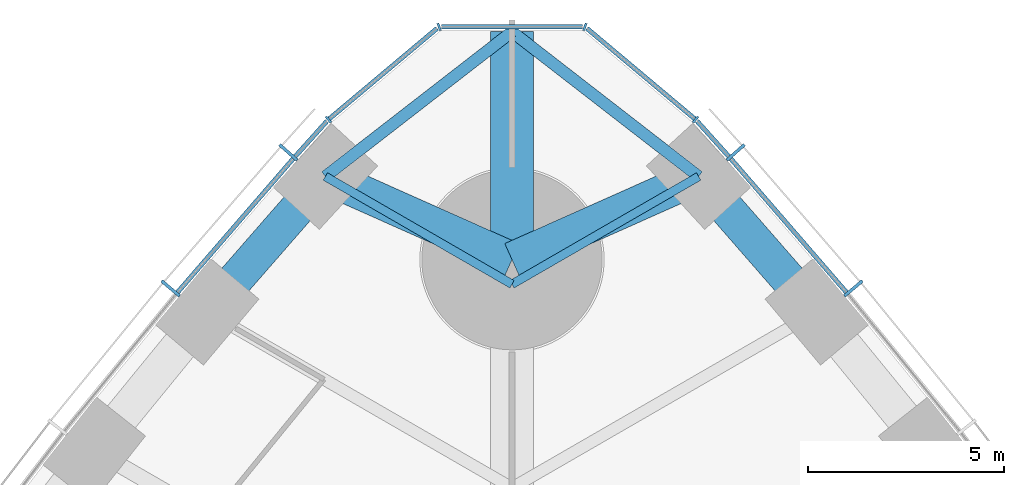
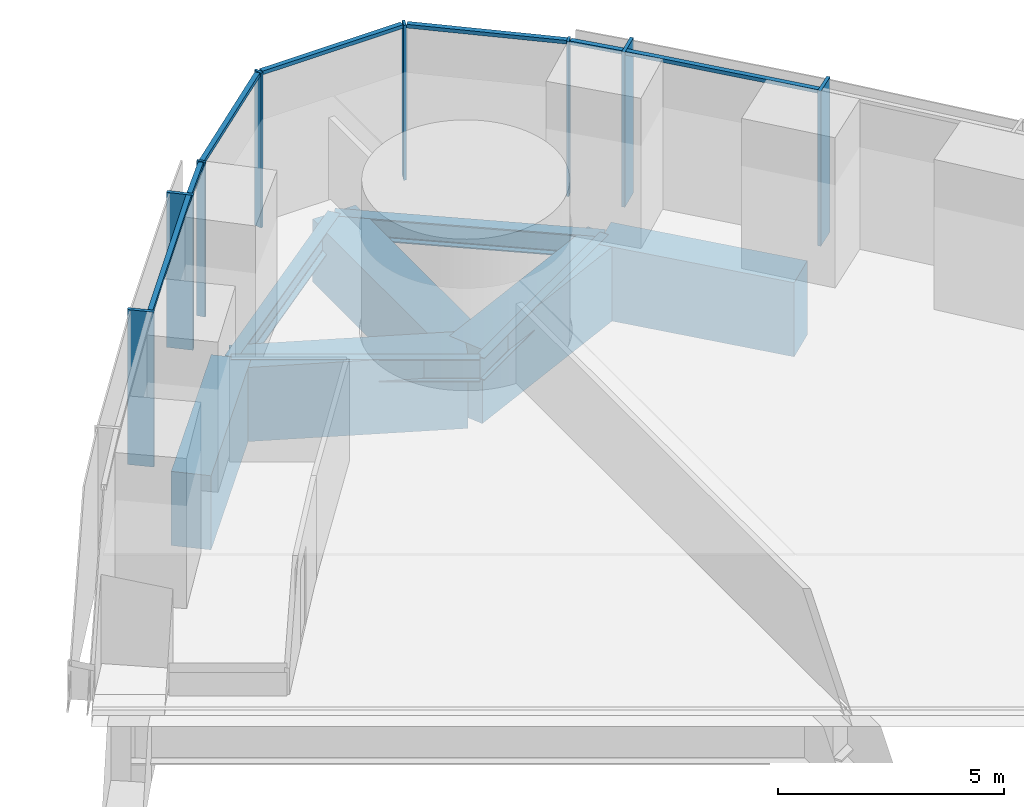
# One storey, part 7 of 19: 15 members, 9 beams, 3 elements without a shape of their own.
"""IFC4 building model written with IfcOpenShell, lengths in metres."""

from ifc_helpers import new_model, si_unit, direction, frame, origin, origin_2d, place, context, subcontext, project, spatial, rectangle, i_section, extrude, material, material_profile, profile_set, type_object, element, aggregate, save


model = new_model("IFC4")

# Units and contexts
model_context = context("Model", 3, precision=1e-05, world=origin(), true_north=direction((0.0, 1.0)))
body_context = subcontext(model_context, "Body", "Model", "MODEL_VIEW")
ifc_project = project(units=[si_unit("LENGTHUNIT", "METRE"), si_unit("AREAUNIT", "SQUARE_METRE"), si_unit("VOLUMEUNIT", "CUBIC_METRE"), si_unit("PLANEANGLEUNIT", "RADIAN"), si_unit("MASSUNIT", "GRAM", prefix="KILO")], contexts=[model_context])

# Site, building, storey
site_placement = place(None, origin())
site = spatial("IfcSite", under=ifc_project, at=site_placement, CompositionType="ELEMENT")
building_placement = place(site_placement, origin())
building = spatial("IfcBuilding", under=site, at=building_placement, Name="Trefoil Bronze Tower", CompositionType="ELEMENT")
storey_placement = place(building_placement, frame((0.0, 0.0, 83.699951171875)))
storey = spatial("IfcBuildingStorey", under=building, at=storey_placement, Name="L19", CompositionType="ELEMENT", Elevation=83.699951171875)

# Curtain wall, members
ifc_material_1 = material(Name="Tinted solar-control glass", Category="glass")
curtain_wall_type_1 = type_object("IfcCurtainWallType", Name="Bronze office curtain wall", PredefinedType="USERDEFINED", material=ifc_material_1)
curtain_wall_1_placement = place(storey_placement, origin())
curtain_wall_1 = element("IfcCurtainWall", 1, at=curtain_wall_1_placement, inside=storey, type_object=curtain_wall_type_1, Name="CW-A L19 F2", ObjectType="CURTAIN WALL", PredefinedType="USERDEFINED")
ifc_material_2 = material(Name="Bronze-finish aluminium", Category="aluminium")
ifc_material_profile_1 = material_profile(ifc_material_2, rectangle(XDim=0.60009765625, YDim=0.080078125, at=origin_2d()), Name="CW-A mullion")
ifc_profile_set_1 = profile_set([ifc_material_profile_1], Name="Bronze-finish aluminium")
member_type_1 = type_object("IfcMemberType", Name="Bronze office curtain wall mullion", PredefinedType="MULLION", material=ifc_profile_set_1)
member_1_placement = place(storey_placement, frame((8.709716796875, 36.265869140625, 0.0), z_axis=(0.0, 0.0, 1.0), x_axis=(-0.765729101889, -0.643163231629, 0.0)))
member_1 = element("IfcMember", 2, at=member_1_placement, type_object=member_type_1, Name="CW-A L19 F2 mullion 15", PredefinedType="MULLION", context=body_context, shape_type="SweptSolid", body=[
    extrude(rectangle(XDim=0.60009765625, YDim=0.080078125, at=origin_2d()), origin(), (0.0, 0.0, 1.0), 4.179931640625),
])
member_2_placement = place(storey_placement, frame((5.70654296875, 39.736328125, 0.0), z_axis=(0.0, 0.0, 1.0), x_axis=(-0.7499405861, -0.661505190698, 0.0)))
member_2 = element("IfcMember", 3, at=member_2_placement, type_object=member_type_1, Name="CW-A L19 F2 mullion 16", PredefinedType="MULLION", context=body_context, shape_type="SweptSolid", body=[
    extrude(rectangle(XDim=0.60009765625, YDim=0.080078125, at=origin_2d()), origin(), (0.0, 0.0, 1.0), 4.179931640625),
])

curtain_wall_2_placement = place(storey_placement, origin())
curtain_wall_2 = element("IfcCurtainWall", 4, at=curtain_wall_2_placement, inside=storey, type_object=curtain_wall_type_1, Name="CW-A L19 F3", ObjectType="CURTAIN WALL", PredefinedType="USERDEFINED")
member_3_placement = place(storey_placement, frame((-5.70654296875, 39.736328125, 0.0), z_axis=(0.0, 0.0, 1.0), x_axis=(0.7499405861, -0.661505190698, 0.0)))
member_3 = element("IfcMember", 5, at=member_3_placement, type_object=member_type_1, Name="CW-A L19 F3 mullion 2", PredefinedType="MULLION", context=body_context, shape_type="SweptSolid", body=[
    extrude(rectangle(XDim=0.60009765625, YDim=0.080078125, at=origin_2d()), origin(), (0.0, 0.0, 1.0), 4.179931640625),
])
member_4_placement = place(storey_placement, frame((-8.709716796875, 36.265869140625, 0.0), z_axis=(0.0, 0.0, 1.0), x_axis=(0.765729101889, -0.643163231629, 0.0)))
member_4 = element("IfcMember", 6, at=member_4_placement, type_object=member_type_1, Name="CW-A L19 F3 mullion 3", PredefinedType="MULLION", context=body_context, shape_type="SweptSolid", body=[
    extrude(rectangle(XDim=0.60009765625, YDim=0.080078125, at=origin_2d()), origin(), (0.0, 0.0, 1.0), 4.179931640625),
])

# Member
ifc_material_3 = material(Name="Bronze-finish aluminium", Category="aluminium")
ifc_material_profile_2 = material_profile(ifc_material_3, rectangle(XDim=0.1201171875, YDim=0.10009765625, at=origin_2d()), Name="CW-A transom")
ifc_profile_set_2 = profile_set([ifc_material_profile_2], Name="Bronze-finish aluminium")
member_type_2 = type_object("IfcMemberType", Name="Bronze office curtain wall transom", PredefinedType="USERDEFINED", material=ifc_profile_set_2)
member_5_placement = place(storey_placement, frame((8.529541015625, 36.16845703125, 4.130126953125), z_axis=(-0.654383303203, 0.75616300656, 0.0), x_axis=(-0.75616300656, -0.654383303203, 0.0)))
member_5 = element("IfcMember", 7, at=member_5_placement, type_object=member_type_2, Name="CW-A L19 F2 transom 15", ObjectType="TRANSOM", PredefinedType="USERDEFINED", context=body_context, shape_type="SweptSolid", body=[
    extrude(rectangle(XDim=0.1201171875, YDim=0.10009765625, at=origin_2d()), origin(), (0.0, 0.0, 1.0), 4.50244140625),
])

member_6_placement = place(storey_placement, frame((5.529052734375, 39.634521484375, 4.130126953125), z_axis=(-0.66858567461, 0.743635122695, 0.0), x_axis=(-0.743635122695, -0.66858567461, 0.0)))
member_6 = element("IfcMember", 8, at=member_6_placement, type_object=member_type_2, Name="CW-A L19 F2 transom 16", ObjectType="TRANSOM", PredefinedType="USERDEFINED", context=body_context, shape_type="SweptSolid", body=[
    extrude(rectangle(XDim=0.1201171875, YDim=0.10009765625, at=origin_2d()), origin(), (0.0, 0.0, 1.0), 1.210205078125),
])

aggregate(curtain_wall_1, [member_1, member_2, member_5, member_6])

member_7_placement = place(storey_placement, frame((-4.719970703125, 40.534423828125, 4.130126953125), z_axis=(-0.66858567461, -0.743635122695, 0.0), x_axis=(0.743635122695, -0.66858567461, 0.0)))
member_7 = element("IfcMember", 9, at=member_7_placement, type_object=member_type_2, Name="CW-A L19 F3 transom 1", ObjectType="TRANSOM", PredefinedType="USERDEFINED", context=body_context, shape_type="SweptSolid", body=[
    extrude(rectangle(XDim=0.1201171875, YDim=0.10009765625, at=origin_2d()), origin(), (0.0, 0.0, 1.0), 1.210205078125),
])

member_8_placement = place(storey_placement, frame((-5.583251953125, 39.572998046875, 4.130126953125), z_axis=(-0.654383303203, -0.75616300656, 0.0), x_axis=(0.75616300656, -0.654383303203, 0.0)))
member_8 = element("IfcMember", 10, at=member_8_placement, type_object=member_type_2, Name="CW-A L19 F3 transom 2", ObjectType="TRANSOM", PredefinedType="USERDEFINED", context=body_context, shape_type="SweptSolid", body=[
    extrude(rectangle(XDim=0.1201171875, YDim=0.10009765625, at=origin_2d()), origin(), (0.0, 0.0, 1.0), 4.50244140625),
])

aggregate(curtain_wall_2, [member_3, member_4, member_7, member_8])

# Curtain wall, members
ifc_material_4 = material(Name="Tinted solar-control glass", Category="glass")
curtain_wall_type_2 = type_object("IfcCurtainWallType", Name="Bronze rounded corner curtain wall", PredefinedType="USERDEFINED", material=ifc_material_4)
curtain_wall_3_placement = place(storey_placement, origin())
curtain_wall_3 = element("IfcCurtainWall", 11, at=curtain_wall_3_placement, inside=storey, type_object=curtain_wall_type_2, Name="CW-B L19 K2", ObjectType="CURTAIN WALL", PredefinedType="USERDEFINED")
ifc_material_5 = material(Name="Bronze-finish aluminium", Category="aluminium")
ifc_material_profile_3 = material_profile(ifc_material_5, rectangle(XDim=0.199951171875, YDim=0.06005859375, at=origin_2d()), Name="CW-B mullion")
ifc_profile_set_3 = profile_set([ifc_material_profile_3], Name="Bronze-finish aluminium")
member_type_3 = type_object("IfcMemberType", Name="Bronze rounded corner curtain wall mullion", PredefinedType="MULLION", material=ifc_profile_set_3)
member_9_placement = place(storey_placement, frame((4.68310546875, 40.573974609375, 0.0), z_axis=(0.0, 0.0, 1.0), x_axis=(-0.642787609687, -0.766044443119, 0.0)))
member_9 = element("IfcMember", 12, at=member_9_placement, type_object=member_type_3, Name="CW-B L19 K2 mullion 1", PredefinedType="MULLION", context=body_context, shape_type="SweptSolid", body=[
    extrude(rectangle(XDim=0.199951171875, YDim=0.06005859375, at=origin_2d()), origin(), (0.0, 0.0, 1.0), 4.179931640625),
])
member_10_placement = place(storey_placement, frame((1.8583984375, 42.9365234375, 0.0), z_axis=(0.0, 0.0, 1.0), x_axis=(-0.342020143326, -0.939692620786, 0.0)))
member_10 = element("IfcMember", 13, at=member_10_placement, type_object=member_type_3, Name="CW-B L19 K2 mullion 2", PredefinedType="MULLION", context=body_context, shape_type="SweptSolid", body=[
    extrude(rectangle(XDim=0.199951171875, YDim=0.06005859375, at=origin_2d()), origin(), (0.0, 0.0, 1.0), 4.179931640625),
])
member_11_placement = place(storey_placement, frame((-1.8583984375, 42.9365234375, 0.0), z_axis=(0.0, 0.0, 1.0), x_axis=(0.342020143326, -0.939692620786, 0.0)))
member_11 = element("IfcMember", 14, at=member_11_placement, type_object=member_type_3, Name="CW-B L19 K2 mullion 3", PredefinedType="MULLION", context=body_context, shape_type="SweptSolid", body=[
    extrude(rectangle(XDim=0.199951171875, YDim=0.06005859375, at=origin_2d()), origin(), (0.0, 0.0, 1.0), 4.179931640625),
])
member_12_placement = place(storey_placement, frame((-4.68310546875, 40.573974609375, 0.0), z_axis=(0.0, 0.0, 1.0), x_axis=(0.642787609687, -0.766044443119, 0.0)))
member_12 = element("IfcMember", 15, at=member_12_placement, type_object=member_type_3, Name="CW-B L19 K2 mullion 4", PredefinedType="MULLION", context=body_context, shape_type="SweptSolid", body=[
    extrude(rectangle(XDim=0.199951171875, YDim=0.06005859375, at=origin_2d()), origin(), (0.0, 0.0, 1.0), 4.179931640625),
])
ifc_material_6 = material(Name="Bronze-finish aluminium", Category="aluminium")
ifc_material_profile_4 = material_profile(ifc_material_6, rectangle(XDim=0.1201171875, YDim=0.10009765625, at=origin_2d()), Name="CW-B transom")
ifc_profile_set_4 = profile_set([ifc_material_profile_4], Name="Bronze-finish aluminium")
member_type_4 = type_object("IfcMemberType", Name="Bronze rounded corner curtain wall transom", PredefinedType="USERDEFINED", material=ifc_profile_set_4)
member_13_placement = place(storey_placement, frame((4.66015625, 40.59326171875, 4.130126953125), z_axis=(-0.766058606238, 0.642770730361, 0.0), x_axis=(-0.642770730361, -0.766058606238, 0.0)))
member_13 = element("IfcMember", 16, at=member_13_placement, type_object=member_type_4, Name="CW-B L19 K2 transom 1", ObjectType="TRANSOM", PredefinedType="USERDEFINED", context=body_context, shape_type="SweptSolid", body=[
    extrude(rectangle(XDim=0.1201171875, YDim=0.10009765625, at=origin_2d()), origin(), (0.0, 0.0, 1.0), 3.588134765625),
])
member_14_placement = place(storey_placement, frame((1.794189453125, 42.9423828125, 4.130126953125), z_axis=(-1.0, 0.0, 0.0), x_axis=(0.0, -1.0, 0.0)))
member_14 = element("IfcMember", 17, at=member_14_placement, type_object=member_type_4, Name="CW-B L19 K2 transom 2", ObjectType="TRANSOM", PredefinedType="USERDEFINED", context=body_context, shape_type="SweptSolid", body=[
    extrude(rectangle(XDim=0.1201171875, YDim=0.10009765625, at=origin_2d()), origin(), (0.0, 0.0, 1.0), 3.58837890625),
])
member_15_placement = place(storey_placement, frame((-1.911376953125, 42.899658203125, 4.130126953125), z_axis=(-0.766058606238, -0.642770730361, 0.0), x_axis=(0.642770730361, -0.766058606238, 0.0)))
member_15 = element("IfcMember", 18, at=member_15_placement, type_object=member_type_4, Name="CW-B L19 K2 transom 3", ObjectType="TRANSOM", PredefinedType="USERDEFINED", context=body_context, shape_type="SweptSolid", body=[
    extrude(rectangle(XDim=0.1201171875, YDim=0.10009765625, at=origin_2d()), origin(), (0.0, 0.0, 1.0), 3.588134765625),
])
aggregate(curtain_wall_3, [member_9, member_10, member_11, member_12, member_13, member_14, member_15])

# Beams
ifc_material_7 = material(Name="Concrete B80", Category="concrete")
ifc_material_profile_5 = material_profile(ifc_material_7, rectangle(XDim=1.10009765625, YDim=1.699951171875, at=origin_2d()), Name="RC 1100x1700")
ifc_profile_set_5 = profile_set([ifc_material_profile_5], Name="Concrete B80")
beam_type_1 = type_object("IfcBeamType", Name="Corner cantilever RC 1100x1700", PredefinedType="BEAM", material=ifc_profile_set_5)
beam_placement = place(storey_placement, frame((0.0, 37.0, -1.050048828125), z_axis=(0.0, 1.0, 0.0), x_axis=(-1.0, 0.0, 0.0)))
element("IfcBeam", 19, at=beam_placement, inside=storey, type_object=beam_type_1, Name="Corner cantilever K2 L19", PredefinedType="BEAM", context=body_context, shape_type="SweptSolid", body=[
    extrude(rectangle(XDim=1.10009765625, YDim=1.699951171875, at=origin_2d()), origin(), (0.0, 0.0, 1.0), 5.814208984375),
])
ifc_material_8 = material(Name="Steel C355", Category="steel")
ifc_material_profile_6 = material_profile(ifc_material_8, i_section(OverallWidth=0.300048828125, OverallDepth=0.60009765625, WebThickness=0.015380859375, FlangeThickness=0.030029296875, FilletRadius=0.027099609375, at=origin_2d()), Name="HEB 600")
ifc_profile_set_6 = profile_set([ifc_material_profile_6], Name="Steel C355")
beam_type_2 = type_object("IfcBeamType", Name="Corner edge beam HEB 600", PredefinedType="BEAM", material=ifc_profile_set_6)
for number, where, z_axis, x_axis, name in (
    (20, (4.76171875, 39.122314453125, -0.5), (-0.790289474622, 0.612733666696, 0.0), (-0.612733666696, -0.790289474622, 0.0), "Corner edge beam F2A L19"),
    (21, (-4.76171875, 39.122314453125, -0.5), (0.790289474622, 0.612733666696, 0.0), (-0.612733666696, 0.790289474622, 0.0), "Corner edge beam F3B L19"),
):
    element("IfcBeam", number, at=place(storey_placement, frame(where, z_axis=z_axis, x_axis=x_axis)), inside=storey, type_object=beam_type_2, Name=name, PredefinedType="BEAM", context=body_context, shape_type="SweptSolid", body=[
        extrude(i_section(OverallWidth=0.300048828125, OverallDepth=0.60009765625, WebThickness=0.015380859375, FlangeThickness=0.030029296875, FilletRadius=0.027099609375, at=origin_2d()), origin(), (0.0, 0.0, 1.0), 6.025390625),
    ])
ifc_material_9 = material(Name="Concrete B80", Category="concrete")
ifc_material_profile_7 = material_profile(ifc_material_9, rectangle(XDim=0.89990234375, YDim=2.0, at=origin_2d()), Name="RC 900x2000")
ifc_profile_set_7 = profile_set([ifc_material_profile_7], Name="Concrete B80")
beam_type_3 = type_object("IfcBeamType", Name="End spandrel beam RC 900x2000", PredefinedType="SPANDREL", material=ifc_profile_set_7)
for number, where, z_axis, x_axis, name in (
    (22, (4.76171875, 39.122314453125, -1.199951171875), (-0.913384257879, -0.407098510754, 0.0), (0.407098510754, -0.913384257879, 0.0), "Spandrel F2.16 L19"),
    (23, (0.0, 37.0, -1.199951171875), (-0.913384257879, 0.407098510754, 0.0), (-0.407098510754, -0.913384257879, 0.0), "Spandrel F3.1 L19"),
):
    element("IfcBeam", number, at=place(storey_placement, frame(where, z_axis=z_axis, x_axis=x_axis)), inside=storey, type_object=beam_type_3, Name=name, PredefinedType="SPANDREL", context=body_context, shape_type="SweptSolid", body=[
        extrude(rectangle(XDim=0.89990234375, YDim=2.0, at=origin_2d()), origin(), (0.0, 0.0, 1.0), 5.21337890625),
    ])
ifc_material_10 = material(Name="Steel C355", Category="steel")
ifc_material_profile_8 = material_profile(ifc_material_10, i_section(OverallWidth=0.219970703125, OverallDepth=0.60009765625, WebThickness=0.011962890625, FlangeThickness=0.01904296875, FilletRadius=0.02392578125, at=origin_2d()), Name="IPE 600")
ifc_profile_set_8 = profile_set([ifc_material_profile_8], Name="Steel C355")
beam_type_4 = type_object("IfcBeamType", Name="Floor beam IPE 600", PredefinedType="BEAM", material=ifc_profile_set_8)
for number, where, z_axis, x_axis, name in (
    (24, (4.76171875, 39.122314453125, -0.5), (-0.866018475376, -0.500012000164, 0.0), (0.500012000164, -0.866018475376, 0.0), "Floor beam F2/+7 L19"),
    (25, (-4.76171875, 39.122314453125, -0.5), (0.866018475376, -0.500012000164, 0.0), (0.500012000164, 0.866018475376, 0.0), "Floor beam F3/-7 L19"),
):
    element("IfcBeam", number, at=place(storey_placement, frame(where, z_axis=z_axis, x_axis=x_axis)), inside=storey, type_object=beam_type_4, Name=name, PredefinedType="BEAM", context=body_context, shape_type="SweptSolid", body=[
        extrude(i_section(OverallWidth=0.219970703125, OverallDepth=0.60009765625, WebThickness=0.011962890625, FlangeThickness=0.01904296875, FilletRadius=0.02392578125, at=origin_2d()), origin(), (0.0, 0.0, 1.0), 5.498291015625),
    ])
ifc_material_11 = material(Name="Concrete B80", Category="concrete")
ifc_material_profile_9 = material_profile(ifc_material_11, rectangle(XDim=0.89990234375, YDim=2.0, at=origin_2d()), Name="RC 900x2000")
ifc_profile_set_9 = profile_set([ifc_material_profile_9], Name="Concrete B80")
beam_type_5 = type_object("IfcBeamType", Name="Spandrel beam RC 900x2000", PredefinedType="SPANDREL", material=ifc_profile_set_9)
for number, where, z_axis, x_axis, name in (
    (26, (7.7763671875, 35.666748046875, -1.199951171875), (-0.657395767989, 0.753545489158, 0.0), (-0.753545489158, -0.657395767989, 0.0), "Spandrel F2.15 L19"),
    (27, (-4.76171875, 39.122314453125, -1.199951171875), (-0.657395767989, -0.753545489158, 0.0), (0.753545489158, -0.657395767989, 0.0), "Spandrel F3.2 L19"),
):
    element("IfcBeam", number, at=place(storey_placement, frame(where, z_axis=z_axis, x_axis=x_axis)), inside=storey, type_object=beam_type_5, Name=name, PredefinedType="SPANDREL", context=body_context, shape_type="SweptSolid", body=[
        extrude(rectangle(XDim=0.89990234375, YDim=2.0, at=origin_2d()), origin(), (0.0, 0.0, 1.0), 4.585693359375),
    ])

save(model, "model.ifc")
